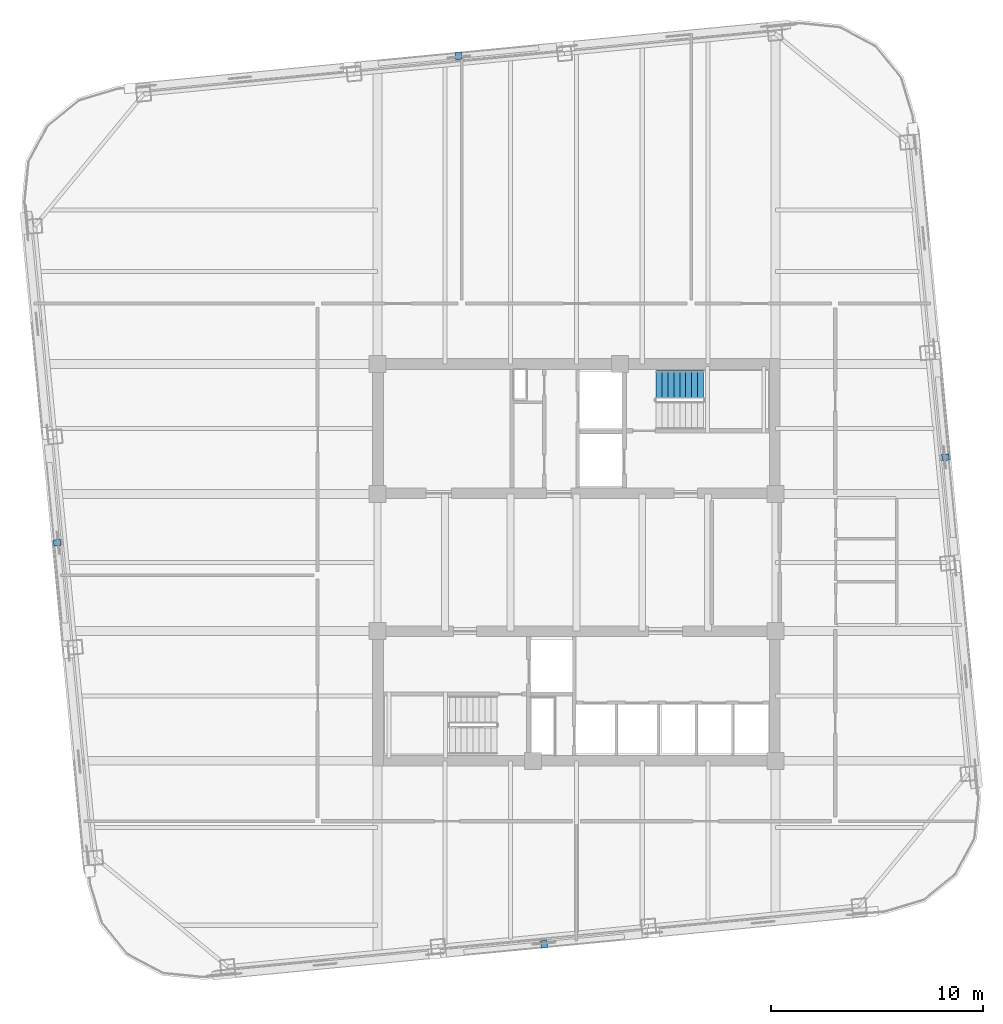
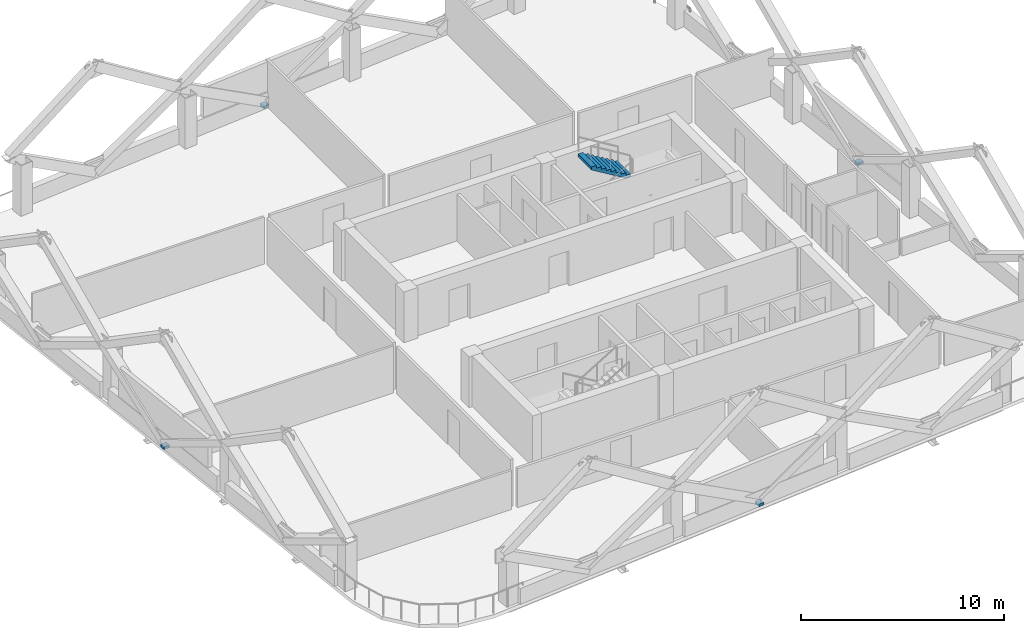
# One storey, part 6 of 9: 4 discrete accessories, 1 stair flight, 1 element without a shape of its own.
"""IFC4 building model written with IfcOpenShell, lengths in metres."""

from ifc_helpers import new_model, si_unit, direction, frame, origin, origin_2d, place, context, subcontext, project, spatial, polyline, rectangle, outline, extrude, material, type_object, element, aggregate, save


model = new_model("IFC4")

# Units and contexts
model_context = context("Model", 3, precision=1e-05, world=origin(), true_north=direction((0.0, 1.0)))
body_context = subcontext(model_context, "Body", "Model", "MODEL_VIEW")
ifc_project = project(units=[si_unit("LENGTHUNIT", "METRE"), si_unit("AREAUNIT", "SQUARE_METRE"), si_unit("VOLUMEUNIT", "CUBIC_METRE"), si_unit("PLANEANGLEUNIT", "RADIAN"), si_unit("MASSUNIT", "GRAM", prefix="KILO")], contexts=[model_context])

# Site, building, storey
site_placement = place(None, origin())
site = spatial("IfcSite", under=ifc_project, at=site_placement, CompositionType="ELEMENT")
building_placement = place(site_placement, origin())
building = spatial("IfcBuilding", under=site, at=building_placement, Name="Qhalaya Broadcast Tower", CompositionType="ELEMENT")
storey_placement = place(building_placement, frame((0.0, 0.0, 180.550048828125)))
storey = spatial("IfcBuildingStorey", under=building, at=storey_placement, Name="L53", CompositionType="ELEMENT", Elevation=180.550048828125)

# Stair, stair flight
ifc_material_1 = material(Name="Concrete C40/50", Category="concrete")
stair_type = type_object("IfcStairType", Name="Protected Dogleg Core Stair 3150", PredefinedType="TWO_STRAIGHT_RUN_STAIR", material=ifc_material_1)
stair_placement = place(storey_placement, origin())
stair = element("IfcStair", 1, at=stair_placement, inside=storey, type_object=stair_type, Name="L53 North Core Exit Stair ST-1", PredefinedType="TWO_STRAIGHT_RUN_STAIR")
ifc_material_2 = material(Name="Precast Concrete C40/50", Category="concrete")
stair_flight_type = type_object("IfcStairFlightType", Name="Precast Concrete Stair Flight 3150", PredefinedType="STRAIGHT", material=ifc_material_2)
stair_flight_placement = place(storey_placement, frame((5.989990234375, 8.97998046875, 1.52490234375), z_axis=(0.0, 0.0, 1.0), x_axis=(-1.0, 0.0, 0.0)))
stair_flight = element("IfcStairFlight", 2, at=stair_flight_placement, type_object=stair_flight_type, Name="ST-1 flight 2", NumberOfRisers=9, NumberOfTreads=8, PredefinedType="STRAIGHT", RiserHeight=0.169444444, TreadLength=0.28, context=body_context, shape_type="SweptSolid", body=[
    extrude(outline(polyline([(0.0, 0.0), (0.0, 0.16943359375), (0.280029296875, 0.16943359375), (0.280029296875, 0.3388671875), (0.56005859375, 0.3388671875), (0.56005859375, 0.50830078125), (0.840087890625, 0.50830078125), (0.840087890625, 0.677734375), (1.1201171875, 0.677734375), (1.1201171875, 0.84716796875), (1.39990234375, 0.84716796875), (1.39990234375, 1.0166015625), (1.679931640625, 1.0166015625), (1.679931640625, 1.18603515625), (1.9599609375, 1.18603515625), (1.9599609375, 1.35546875), (2.239990234375, 1.35546875), (2.239990234375, 1.52490234375), (2.239990234375, 1.180419921875), (0.28955078125, 0.0), (0.0, 0.0)])), frame((0.0, 0.66015625, 0.0), z_axis=(0.0, -1.0, 0.0), x_axis=(1.0, 0.0, 0.0)), (0.0, 0.0, 1.0), 1.320068359375),
])
aggregate(stair, [stair_flight])

# Discrete accessories
ifc_material_3 = material(Name="Structural Steel ASTM A572 Grade 50", Category="steel")
discrete_accessory_type = type_object("IfcDiscreteAccessoryType", Name="Facade Baguette Support Bracket BRK-01", PredefinedType="BRACKET", material=ifc_material_3)
for number, where, z_axis, x_axis, name in (
    (3, (-1.5244140625, -17.393310546875, 0.0), (0.0, 0.0, 1.0), (0.995396198367, 0.09584575252, 0.0), "L53 Baguette Support Bracket S"),
    (4, (17.393310546875, 5.5556640625, 0.0), (0.0, 0.0, 1.0), (-0.09584575252, 0.995396198367, 0.0), "L53 Baguette Support Bracket E"),
    (5, (-5.5556640625, 24.47314453125, 0.0), (0.0, 0.0, 1.0), (-0.995396198367, -0.09584575252, 0.0), "L53 Baguette Support Bracket N"),
    (6, (-24.47314453125, 1.5244140625, 0.0), (0.0, 0.0, 1.0), (0.09584575252, -0.995396198367, 0.0), "L53 Baguette Support Bracket W"),
):
    element("IfcDiscreteAccessory", number, at=place(storey_placement, frame(where, z_axis=z_axis, x_axis=x_axis)), inside=storey, type_object=discrete_accessory_type, Name=name, PredefinedType="BRACKET", context=body_context, shape_type="SweptSolid", body=[
        extrude(rectangle(XDim=0.300048828125, YDim=0.340087890625, at=origin_2d()), origin(), (0.0, 0.0, 1.0), 0.159912109375),
    ])

save(model, "model.ifc")
